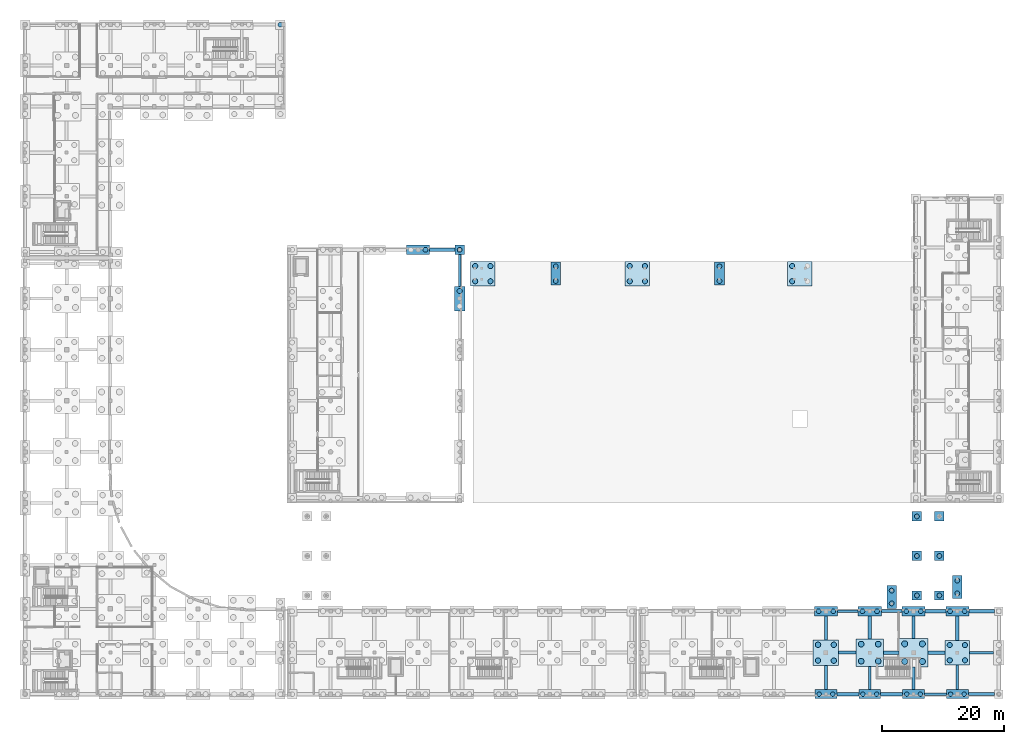
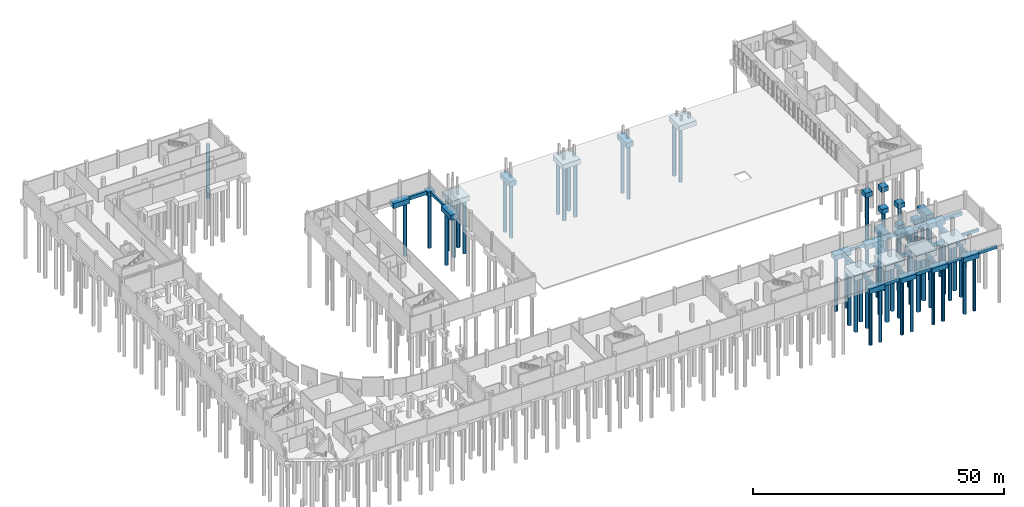
# One storey, part 8 of 41: 59 piles, 50 footings.
"""IFC4 building model written with IfcOpenShell, lengths in metres."""

from ifc_helpers import new_model, si_unit, direction, frame, origin, origin_2d, place, context, subcontext, project, spatial, rectangle, circle, extrude, material, material_profile, profile_set, type_object, element, save


model = new_model("IFC4")

# Units and contexts
model_context = context("Model", 3, precision=1e-05, world=origin(), true_north=direction((0.0, 1.0)))
body_context = subcontext(model_context, "Body", "Model", "MODEL_VIEW")
ifc_project = project(units=[si_unit("LENGTHUNIT", "METRE"), si_unit("AREAUNIT", "SQUARE_METRE"), si_unit("VOLUMEUNIT", "CUBIC_METRE"), si_unit("PLANEANGLEUNIT", "RADIAN"), si_unit("MASSUNIT", "GRAM", prefix="KILO")], contexts=[model_context])

# Site, building, storey
site_placement = place(None, origin())
site = spatial("IfcSite", under=ifc_project, at=site_placement, CompositionType="ELEMENT")
building_placement = place(site_placement, origin())
building = spatial("IfcBuilding", under=site, at=building_placement, Name="Vardoun Plaza Health Centre", CompositionType="ELEMENT")
storey_placement = place(building_placement, frame((0.0, 0.0, -4.5)))
storey = spatial("IfcBuildingStorey", under=building, at=storey_placement, Name="B1", CompositionType="ELEMENT", Elevation=-4.5)

# Footings
ifc_material_1 = material(Name="Concrete C40/50", Category="concrete")
footing_type_1 = type_object("IfcFootingType", Name="PC-02", PredefinedType="PILE_CAP", material=ifc_material_1)
for number, where, z_axis, x_axis, name in (
    (1, (76.300048828125, 77.919921875, -1.570068359375), (0.0, 0.0, 1.0), (1.0, 0.0, 0.0), "V1 Pile Cap PC-V1-22"),
    (2, (151.449951171875, 21.10009765625, -1.570068359375), (0.0, 0.0, 1.0), (1.0, 0.0, 0.0), "Bridge BR-05 Pier Pile Cap W.1"),
    (3, (151.449951171875, 27.60009765625, -1.570068359375), (0.0, 0.0, 1.0), (1.0, 0.0, 0.0), "Bridge BR-05 Pier Pile Cap W.2"),
    (4, (151.449951171875, 34.10009765625, -1.570068359375), (0.0, 0.0, 1.0), (1.0, 0.0, 0.0), "Bridge BR-05 Pier Pile Cap W.3"),
    (5, (155.14990234375, 21.10009765625, -1.570068359375), (0.0, 0.0, 1.0), (1.0, 0.0, 0.0), "Bridge BR-05 Pier Pile Cap E.1"),
    (6, (155.14990234375, 27.60009765625, -1.570068359375), (0.0, 0.0, 1.0), (1.0, 0.0, 0.0), "Bridge BR-05 Pier Pile Cap E.2"),
    (7, (155.14990234375, 34.10009765625, -1.570068359375), (0.0, 0.0, 1.0), (1.0, 0.0, 0.0), "Bridge BR-05 Pier Pile Cap E.3"),
):
    element("IfcFooting", number, at=place(storey_placement, frame(where, z_axis=z_axis, x_axis=x_axis)), inside=storey, type_object=footing_type_1, Name=name, PredefinedType="PILE_CAP", context=body_context, shape_type="SweptSolid", body=[
        extrude(rectangle(XDim=1.550048828125, YDim=1.550048828125, at=origin_2d()), origin(), (0.0, 0.0, 1.0), 1.14990234375),
    ])
ifc_material_2 = material(Name="Concrete C40/50", Category="concrete")
footing_type_2 = type_object("IfcFootingType", Name="PC-03", PredefinedType="PILE_CAP", material=ifc_material_2)
for number, where, z_axis, x_axis, name in (
    (8, (136.5, 4.8798828125, -1.570068359375), (0.0, 0.0, 1.0), (1.0, 0.0, 0.0), "V5 Pile Cap PC-V5-13"),
    (9, (143.699951171875, 4.8798828125, -1.570068359375), (0.0, 0.0, 1.0), (1.0, 0.0, 0.0), "V5 Pile Cap PC-V5-16"),
    (10, (150.89990234375, 4.8798828125, -1.570068359375), (0.0, 0.0, 1.0), (1.0, 0.0, 0.0), "V5 Pile Cap PC-V5-19"),
    (11, (158.10009765625, 4.8798828125, -1.570068359375), (0.0, 0.0, 1.0), (1.0, 0.0, 0.0), "V5 Pile Cap PC-V5-22"),
):
    element("IfcFooting", number, at=place(storey_placement, frame(where, z_axis=z_axis, x_axis=x_axis)), inside=storey, type_object=footing_type_2, Name=name, PredefinedType="PILE_CAP", context=body_context, shape_type="SweptSolid", body=[
        extrude(rectangle(XDim=3.60009765625, YDim=1.5, at=origin_2d()), origin(), (0.0, 0.0, 1.0), 1.14990234375),
    ])
ifc_material_3 = material(Name="Concrete C40/50", Category="concrete")
footing_type_3 = type_object("IfcFootingType", Name="PC-04", PredefinedType="PILE_CAP", material=ifc_material_3)
for number, where, z_axis, x_axis, name in (
    (12, (69.47998046875, 77.919921875, -1.6201171875), (0.0, 0.0, 1.0), (1.0, 0.0, 0.0), "V1 Pile Cap PC-V1-16"),
    (13, (136.5, 18.52001953125, -1.6201171875), (0.0, 0.0, 1.0), (1.0, 0.0, 0.0), "V5 Pile Cap PC-V5-15"),
    (14, (143.699951171875, 18.52001953125, -1.6201171875), (0.0, 0.0, 1.0), (1.0, 0.0, 0.0), "V5 Pile Cap PC-V5-18"),
    (15, (150.89990234375, 18.52001953125, -1.6201171875), (0.0, 0.0, 1.0), (1.0, 0.0, 0.0), "V5 Pile Cap PC-V5-21"),
    (16, (158.10009765625, 18.52001953125, -1.6201171875), (0.0, 0.0, 1.0), (1.0, 0.0, 0.0), "V5 Pile Cap PC-V5-24"),
    (17, (92.10009765625, 74.0, -1.6201171875), (0.0, 0.0, 1.0), (0.0, 1.0, 0.0), "Ramp Mid-Flight Pile Cap 1"),
    (18, (119.0, 74.0, -1.6201171875), (0.0, 0.0, 1.0), (0.0, 1.0, 0.0), "Ramp Mid-Flight Pile Cap 2"),
):
    element("IfcFooting", number, at=place(storey_placement, frame(where, z_axis=z_axis, x_axis=x_axis)), inside=storey, type_object=footing_type_3, Name=name, PredefinedType="PILE_CAP", context=body_context, shape_type="SweptSolid", body=[
        extrude(rectangle(XDim=3.800048828125, YDim=1.60009765625, at=origin_2d()), origin(), (0.0, 0.0, 1.0), 1.199951171875),
    ])
for number, where, z_axis, x_axis, name in (
    (19, (158.10009765625, 22.5, -1.72021484375), (0.0, 0.0, 1.0), (1.0, 0.0, 0.0), "Vehicle Ramp Intermediate Pier Pile Cap"),
    (20, (147.300048828125, 20.85009765625, -1.72021484375), (0.0, 0.0, 1.0), (1.0, 0.0, 0.0), "Vehicle Ramp Lower Flight Pier Pile Cap"),
):
    element("IfcFooting", number, at=place(storey_placement, frame(where, z_axis=z_axis, x_axis=x_axis)), inside=storey, type_object=footing_type_3, Name=name, PredefinedType="PILE_CAP", context=body_context, shape_type="SweptSolid", body=[
        extrude(rectangle(XDim=1.60009765625, YDim=3.800048828125, at=origin_2d()), origin(), (0.0, 0.0, 1.0), 1.300048828125),
    ])
ifc_material_4 = material(Name="Concrete C40/50", Category="concrete")
footing_type_4 = type_object("IfcFootingType", Name="PC-05", PredefinedType="PILE_CAP", material=ifc_material_4)
footing_1_placement = place(storey_placement, frame((76.300048828125, 69.89990234375, -1.669921875), z_axis=(0.0, 0.0, 1.0), x_axis=(0.0, 1.0, 0.0)))
element("IfcFooting", 21, at=footing_1_placement, inside=storey, type_object=footing_type_4, Name="V1 Pile Cap PC-V1-21", PredefinedType="PILE_CAP", context=body_context, shape_type="SweptSolid", body=[
    extrude(rectangle(XDim=4.0, YDim=1.699951171875, at=origin_2d()), origin(), (0.0, 0.0, 1.0), 1.25),
])
ifc_material_5 = material(Name="Concrete C40/50", Category="concrete")
footing_type_5 = type_object("IfcFootingType", Name="PC-06", PredefinedType="PILE_CAP", material=ifc_material_5)
for number, where, z_axis, x_axis, name in (
    (22, (158.10009765625, 11.699951171875, -1.6201171875), (0.0, 0.0, 1.0), (1.0, 0.0, 0.0), "V5 Pile Cap PC-V5-23"),
    (23, (80.10009765625, 74.0, -1.6201171875), (0.0, 0.0, 1.0), (1.0, 0.0, 0.0), "Ramp Landing Four-Pile Cap 1"),
    (24, (105.5, 74.0, -1.6201171875), (0.0, 0.0, 1.0), (1.0, 0.0, 0.0), "Ramp Landing Four-Pile Cap 2"),
    (25, (132.199951171875, 74.0, -1.6201171875), (0.0, 0.0, 1.0), (1.0, 0.0, 0.0), "Ramp Landing Four-Pile Cap 3"),
):
    element("IfcFooting", number, at=place(storey_placement, frame(where, z_axis=z_axis, x_axis=x_axis)), inside=storey, type_object=footing_type_5, Name=name, PredefinedType="PILE_CAP", context=body_context, shape_type="SweptSolid", body=[
        extrude(rectangle(XDim=4.0, YDim=4.0, at=origin_2d()), origin(), (0.0, 0.0, 1.0), 1.199951171875),
    ])
ifc_material_6 = material(Name="Concrete C40/50", Category="concrete")
footing_type_6 = type_object("IfcFootingType", Name="PC-07", PredefinedType="PILE_CAP", material=ifc_material_6)
footing_2_placement = place(storey_placement, frame((136.5, 11.699951171875, -1.669921875), z_axis=(0.0, 0.0, 1.0), x_axis=(1.0, 0.0, 0.0)))
element("IfcFooting", 26, at=footing_2_placement, inside=storey, type_object=footing_type_6, Name="V5 Pile Cap PC-V5-14", PredefinedType="PILE_CAP", context=body_context, shape_type="SweptSolid", body=[
    extrude(rectangle(XDim=4.199951171875, YDim=4.199951171875, at=origin_2d()), origin(), (0.0, 0.0, 1.0), 1.25),
])
ifc_material_7 = material(Name="Concrete C40/50", Category="concrete")
footing_type_7 = type_object("IfcFootingType", Name="PC-08", PredefinedType="PILE_CAP", material=ifc_material_7)
footing_3_placement = place(storey_placement, frame((143.699951171875, 11.699951171875, -1.72021484375), z_axis=(0.0, 0.0, 1.0), x_axis=(1.0, 0.0, 0.0)))
element("IfcFooting", 27, at=footing_3_placement, inside=storey, type_object=footing_type_7, Name="V5 Pile Cap PC-V5-17", PredefinedType="PILE_CAP", context=body_context, shape_type="SweptSolid", body=[
    extrude(rectangle(XDim=4.5, YDim=4.5, at=origin_2d()), origin(), (0.0, 0.0, 1.0), 1.300048828125),
])
ifc_material_8 = material(Name="Concrete C40/50", Category="concrete")
footing_type_8 = type_object("IfcFootingType", Name="PC-09", PredefinedType="PILE_CAP", material=ifc_material_8)
footing_4_placement = place(storey_placement, frame((150.89990234375, 11.699951171875, -1.77001953125), z_axis=(0.0, 0.0, 1.0), x_axis=(1.0, 0.0, 0.0)))
element("IfcFooting", 28, at=footing_4_placement, inside=storey, type_object=footing_type_8, Name="V5 Pile Cap PC-V5-20", PredefinedType="PILE_CAP", context=body_context, shape_type="SweptSolid", body=[
    extrude(rectangle(XDim=4.699951171875, YDim=4.699951171875, at=origin_2d()), origin(), (0.0, 0.0, 1.0), 1.35009765625),
])
ifc_material_9 = material(Name="Concrete C40/50", Category="concrete")
ifc_material_profile_1 = material_profile(ifc_material_9, rectangle(XDim=0.449951171875, YDim=0.699951171875, at=origin_2d()), Name="GB 450x700")
ifc_profile_set_1 = profile_set([ifc_material_profile_1], Name="Concrete C40/50")
footing_type_9 = type_object("IfcFootingType", Name="GB-01", PredefinedType="FOOTING_BEAM", material=ifc_profile_set_1)
footing_5_placement = place(storey_placement, frame((76.300048828125, 71.900146484375, -0.77001953125), z_axis=(0.0, 1.0, 0.0), x_axis=(-1.0, 0.0, 0.0)))
element("IfcFooting", 29, at=footing_5_placement, inside=storey, type_object=footing_type_9, Name="V1 Ground Tie Beam 27", PredefinedType="FOOTING_BEAM", context=body_context, shape_type="SweptSolid", body=[
    extrude(rectangle(XDim=0.449951171875, YDim=0.699951171875, at=origin_2d()), origin(), (0.0, 0.0, 1.0), 5.244873046875),
])
footing_6_placement = place(storey_placement, frame((138.39990234375, 18.52001953125, -0.77001953125), z_axis=(1.0, 0.0, 0.0), x_axis=(0.0, 1.0, 0.0)))
element("IfcFooting", 30, at=footing_6_placement, inside=storey, type_object=footing_type_9, Name="V5 Ground Tie Beam 15", PredefinedType="FOOTING_BEAM", context=body_context, shape_type="SweptSolid", body=[
    extrude(rectangle(XDim=0.449951171875, YDim=0.699951171875, at=origin_2d()), origin(), (0.0, 0.0, 1.0), 3.400146484375),
])
footing_7_placement = place(storey_placement, frame((152.699951171875, 4.8798828125, -0.77001953125), z_axis=(1.0, 0.0, 0.0), x_axis=(0.0, 1.0, 0.0)))
element("IfcFooting", 31, at=footing_7_placement, inside=storey, type_object=footing_type_9, Name="V5 Ground Tie Beam 19", PredefinedType="FOOTING_BEAM", context=body_context, shape_type="SweptSolid", body=[
    extrude(rectangle(XDim=0.449951171875, YDim=0.699951171875, at=origin_2d()), origin(), (0.0, 0.0, 1.0), 3.60009765625),
])
footing_8_placement = place(storey_placement, frame((160.10009765625, 11.699951171875, -0.77001953125), z_axis=(1.0, 0.0, 0.0), x_axis=(0.0, 1.0, 0.0)))
element("IfcFooting", 32, at=footing_8_placement, inside=storey, type_object=footing_type_9, Name="V5 Ground Tie Beam 23", PredefinedType="FOOTING_BEAM", context=body_context, shape_type="SweptSolid", body=[
    extrude(rectangle(XDim=0.449951171875, YDim=0.699951171875, at=origin_2d()), origin(), (0.0, 0.0, 1.0), 3.969970703125),
])
footing_9_placement = place(storey_placement, frame((143.699951171875, 5.6298828125, -0.77001953125), z_axis=(0.0, 1.0, 0.0), x_axis=(-1.0, 0.0, 0.0)))
element("IfcFooting", 33, at=footing_9_placement, inside=storey, type_object=footing_type_9, Name="V5 Ground Tie Beam 35", PredefinedType="FOOTING_BEAM", context=body_context, shape_type="SweptSolid", body=[
    extrude(rectangle(XDim=0.449951171875, YDim=0.699951171875, at=origin_2d()), origin(), (0.0, 0.0, 1.0), 3.820068359375),
])
footing_10_placement = place(storey_placement, frame((158.10009765625, 5.6298828125, -0.77001953125), z_axis=(0.0, 1.0, 0.0), x_axis=(-1.0, 0.0, 0.0)))
element("IfcFooting", 34, at=footing_10_placement, inside=storey, type_object=footing_type_9, Name="V5 Ground Tie Beam 39", PredefinedType="FOOTING_BEAM", context=body_context, shape_type="SweptSolid", body=[
    extrude(rectangle(XDim=0.449951171875, YDim=0.699951171875, at=origin_2d()), origin(), (0.0, 0.0, 1.0), 4.070068359375),
])
ifc_material_10 = material(Name="Concrete C40/50", Category="concrete")
ifc_material_profile_2 = material_profile(ifc_material_10, rectangle(XDim=0.5, YDim=0.75, at=origin_2d()), Name="GB 500x750")
ifc_profile_set_2 = profile_set([ifc_material_profile_2], Name="Concrete C40/50")
footing_type_10 = type_object("IfcFootingType", Name="GB-02", PredefinedType="FOOTING_BEAM", material=ifc_profile_set_2)
footing_11_placement = place(storey_placement, frame((138.60009765625, 11.699951171875, -0.794921875), z_axis=(1.0, 0.0, 0.0), x_axis=(0.0, 1.0, 0.0)))
element("IfcFooting", 35, at=footing_11_placement, inside=storey, type_object=footing_type_10, Name="V5 Ground Tie Beam 14", PredefinedType="FOOTING_BEAM", context=body_context, shape_type="SweptSolid", body=[
    extrude(rectangle(XDim=0.5, YDim=0.75, at=origin_2d()), origin(), (0.0, 0.0, 1.0), 2.849853515625),
])
footing_12_placement = place(storey_placement, frame((145.60009765625, 18.52001953125, -0.794921875), z_axis=(1.0, 0.0, 0.0), x_axis=(0.0, 1.0, 0.0)))
element("IfcFooting", 36, at=footing_12_placement, inside=storey, type_object=footing_type_10, Name="V5 Ground Tie Beam 18", PredefinedType="FOOTING_BEAM", context=body_context, shape_type="SweptSolid", body=[
    extrude(rectangle(XDim=0.5, YDim=0.75, at=origin_2d()), origin(), (0.0, 0.0, 1.0), 3.39990234375),
])
footing_13_placement = place(storey_placement, frame((159.89990234375, 4.8798828125, -0.794921875), z_axis=(1.0, 0.0, 0.0), x_axis=(0.0, 1.0, 0.0)))
element("IfcFooting", 37, at=footing_13_placement, inside=storey, type_object=footing_type_10, Name="V5 Ground Tie Beam 22", PredefinedType="FOOTING_BEAM", context=body_context, shape_type="SweptSolid", body=[
    extrude(rectangle(XDim=0.5, YDim=0.75, at=origin_2d()), origin(), (0.0, 0.0, 1.0), 4.320068359375),
])
footing_14_placement = place(storey_placement, frame((136.5, 13.800048828125, -0.794921875), z_axis=(0.0, 1.0, 0.0), x_axis=(-1.0, 0.0, 0.0)))
element("IfcFooting", 38, at=footing_14_placement, inside=storey, type_object=footing_type_10, Name="V5 Ground Tie Beam 34", PredefinedType="FOOTING_BEAM", context=body_context, shape_type="SweptSolid", body=[
    extrude(rectangle(XDim=0.5, YDim=0.75, at=origin_2d()), origin(), (0.0, 0.0, 1.0), 3.919921875),
])
footing_15_placement = place(storey_placement, frame((150.89990234375, 14.050048828125, -0.794921875), z_axis=(0.0, 1.0, 0.0), x_axis=(-1.0, 0.0, 0.0)))
element("IfcFooting", 39, at=footing_15_placement, inside=storey, type_object=footing_type_10, Name="V5 Ground Tie Beam 38", PredefinedType="FOOTING_BEAM", context=body_context, shape_type="SweptSolid", body=[
    extrude(rectangle(XDim=0.5, YDim=0.75, at=origin_2d()), origin(), (0.0, 0.0, 1.0), 3.669921875),
])
ifc_material_11 = material(Name="Concrete C40/50", Category="concrete")
ifc_material_profile_3 = material_profile(ifc_material_11, rectangle(XDim=0.550048828125, YDim=0.800048828125, at=origin_2d()), Name="GB 550x800")
ifc_profile_set_3 = profile_set([ifc_material_profile_3], Name="Concrete C40/50")
footing_type_11 = type_object("IfcFootingType", Name="GB-03", PredefinedType="FOOTING_BEAM", material=ifc_profile_set_3)
footing_16_placement = place(storey_placement, frame((138.300048828125, 4.8798828125, -0.820068359375), z_axis=(1.0, 0.0, 0.0), x_axis=(0.0, 1.0, 0.0)))
element("IfcFooting", 40, at=footing_16_placement, inside=storey, type_object=footing_type_11, Name="V5 Ground Tie Beam 13", PredefinedType="FOOTING_BEAM", context=body_context, shape_type="SweptSolid", body=[
    extrude(rectangle(XDim=0.550048828125, YDim=0.800048828125, at=origin_2d()), origin(), (0.0, 0.0, 1.0), 3.599853515625),
])
footing_17_placement = place(storey_placement, frame((145.949951171875, 11.699951171875, -0.820068359375), z_axis=(1.0, 0.0, 0.0), x_axis=(0.0, 1.0, 0.0)))
element("IfcFooting", 41, at=footing_17_placement, inside=storey, type_object=footing_type_11, Name="V5 Ground Tie Beam 17", PredefinedType="FOOTING_BEAM", context=body_context, shape_type="SweptSolid", body=[
    extrude(rectangle(XDim=0.550048828125, YDim=0.800048828125, at=origin_2d()), origin(), (0.0, 0.0, 1.0), 2.60009765625),
])
footing_18_placement = place(storey_placement, frame((152.800048828125, 18.52001953125, -0.820068359375), z_axis=(1.0, 0.0, 0.0), x_axis=(0.0, 1.0, 0.0)))
element("IfcFooting", 42, at=footing_18_placement, inside=storey, type_object=footing_type_11, Name="V5 Ground Tie Beam 21", PredefinedType="FOOTING_BEAM", context=body_context, shape_type="SweptSolid", body=[
    extrude(rectangle(XDim=0.550048828125, YDim=0.800048828125, at=origin_2d()), origin(), (0.0, 0.0, 1.0), 3.39990234375),
])
footing_19_placement = place(storey_placement, frame((136.5, 5.6298828125, -0.820068359375), z_axis=(0.0, 1.0, 0.0), x_axis=(-1.0, 0.0, 0.0)))
element("IfcFooting", 43, at=footing_19_placement, inside=storey, type_object=footing_type_11, Name="V5 Ground Tie Beam 33", PredefinedType="FOOTING_BEAM", context=body_context, shape_type="SweptSolid", body=[
    extrude(rectangle(XDim=0.550048828125, YDim=0.800048828125, at=origin_2d()), origin(), (0.0, 0.0, 1.0), 3.97021484375),
])
footing_20_placement = place(storey_placement, frame((150.89990234375, 5.6298828125, -0.820068359375), z_axis=(0.0, 1.0, 0.0), x_axis=(-1.0, 0.0, 0.0)))
element("IfcFooting", 44, at=footing_20_placement, inside=storey, type_object=footing_type_11, Name="V5 Ground Tie Beam 37", PredefinedType="FOOTING_BEAM", context=body_context, shape_type="SweptSolid", body=[
    extrude(rectangle(XDim=0.550048828125, YDim=0.800048828125, at=origin_2d()), origin(), (0.0, 0.0, 1.0), 3.72021484375),
])
ifc_material_12 = material(Name="Concrete C40/50", Category="concrete")
ifc_material_profile_4 = material_profile(ifc_material_12, rectangle(XDim=0.60009765625, YDim=0.85009765625, at=origin_2d()), Name="GB 600x850")
ifc_profile_set_4 = profile_set([ifc_material_profile_4], Name="Concrete C40/50")
footing_type_12 = type_object("IfcFootingType", Name="GB-04", PredefinedType="FOOTING_BEAM", material=ifc_profile_set_4)
footing_21_placement = place(storey_placement, frame((71.3798828125, 77.919921875, -0.844970703125), z_axis=(1.0, 0.0, 0.0), x_axis=(0.0, 1.0, 0.0)))
element("IfcFooting", 45, at=footing_21_placement, inside=storey, type_object=footing_type_12, Name="V1 Ground Tie Beam 12", PredefinedType="FOOTING_BEAM", context=body_context, shape_type="SweptSolid", body=[
    extrude(rectangle(XDim=0.60009765625, YDim=0.85009765625, at=origin_2d()), origin(), (0.0, 0.0, 1.0), 4.145263671875),
])
footing_22_placement = place(storey_placement, frame((145.5, 4.8798828125, -0.844970703125), z_axis=(1.0, 0.0, 0.0), x_axis=(0.0, 1.0, 0.0)))
element("IfcFooting", 46, at=footing_22_placement, inside=storey, type_object=footing_type_12, Name="V5 Ground Tie Beam 16", PredefinedType="FOOTING_BEAM", context=body_context, shape_type="SweptSolid", body=[
    extrude(rectangle(XDim=0.60009765625, YDim=0.85009765625, at=origin_2d()), origin(), (0.0, 0.0, 1.0), 3.60009765625),
])
footing_23_placement = place(storey_placement, frame((153.25, 11.699951171875, -0.844970703125), z_axis=(1.0, 0.0, 0.0), x_axis=(0.0, 1.0, 0.0)))
element("IfcFooting", 47, at=footing_23_placement, inside=storey, type_object=footing_type_12, Name="V5 Ground Tie Beam 20", PredefinedType="FOOTING_BEAM", context=body_context, shape_type="SweptSolid", body=[
    extrude(rectangle(XDim=0.60009765625, YDim=0.85009765625, at=origin_2d()), origin(), (0.0, 0.0, 1.0), 2.85009765625),
])
footing_24_placement = place(storey_placement, frame((160.0, 18.52001953125, -0.844970703125), z_axis=(1.0, 0.0, 0.0), x_axis=(0.0, 1.0, 0.0)))
element("IfcFooting", 48, at=footing_24_placement, inside=storey, type_object=footing_type_12, Name="V5 Ground Tie Beam 24", PredefinedType="FOOTING_BEAM", context=body_context, shape_type="SweptSolid", body=[
    extrude(rectangle(XDim=0.60009765625, YDim=0.85009765625, at=origin_2d()), origin(), (0.0, 0.0, 1.0), 4.219970703125),
])
footing_25_placement = place(storey_placement, frame((143.699951171875, 13.949951171875, -0.844970703125), z_axis=(0.0, 1.0, 0.0), x_axis=(-1.0, 0.0, 0.0)))
element("IfcFooting", 49, at=footing_25_placement, inside=storey, type_object=footing_type_12, Name="V5 Ground Tie Beam 36", PredefinedType="FOOTING_BEAM", context=body_context, shape_type="SweptSolid", body=[
    extrude(rectangle(XDim=0.60009765625, YDim=0.85009765625, at=origin_2d()), origin(), (0.0, 0.0, 1.0), 3.77001953125),
])
footing_26_placement = place(storey_placement, frame((158.10009765625, 13.699951171875, -0.844970703125), z_axis=(0.0, 1.0, 0.0), x_axis=(-1.0, 0.0, 0.0)))
element("IfcFooting", 50, at=footing_26_placement, inside=storey, type_object=footing_type_12, Name="V5 Ground Tie Beam 40", PredefinedType="FOOTING_BEAM", context=body_context, shape_type="SweptSolid", body=[
    extrude(rectangle(XDim=0.60009765625, YDim=0.85009765625, at=origin_2d()), origin(), (0.0, 0.0, 1.0), 4.02001953125),
])

# Piles
ifc_material_13 = material(Name="Concrete C40/50", Category="concrete")
ifc_material_profile_5 = material_profile(ifc_material_13, circle(Radius=0.5, at=origin_2d()), Name="PILE D1000")
ifc_profile_set_5 = profile_set([ifc_material_profile_5], Name="Concrete C40/50")
pile_type_1 = type_object("IfcPileType", Name="PL-06", PredefinedType="BORED", material=ifc_profile_set_5)
for number, where, z_axis, x_axis, name in (
    (51, (149.449951171875, 10.25, -1.669921875), (0.0, 0.0, -1.0), (1.0, 0.0, 0.0), "V5 Bored Pile PL-V5-20A"),
    (52, (152.35009765625, 10.25, -1.669921875), (0.0, 0.0, -1.0), (1.0, 0.0, 0.0), "V5 Bored Pile PL-V5-20B"),
    (53, (149.449951171875, 13.14990234375, -1.669921875), (0.0, 0.0, -1.0), (1.0, 0.0, 0.0), "V5 Bored Pile PL-V5-20C"),
    (54, (152.35009765625, 13.14990234375, -1.669921875), (0.0, 0.0, -1.0), (1.0, 0.0, 0.0), "V5 Bored Pile PL-V5-20D"),
):
    element("IfcPile", number, at=place(storey_placement, frame(where, z_axis=z_axis, x_axis=x_axis)), inside=storey, type_object=pile_type_1, Name=name, PredefinedType="BORED", context=body_context, shape_type="SweptSolid", body=[
        extrude(circle(Radius=0.5, at=origin_2d()), origin(), (0.0, 0.0, 1.0), 12.830078125),
    ])
ifc_material_14 = material(Name="Concrete C40/50", Category="concrete")
ifc_material_profile_6 = material_profile(ifc_material_14, circle(Radius=0.375, at=origin_2d()), Name="PILE D750")
ifc_profile_set_6 = profile_set([ifc_material_profile_6], Name="Concrete C40/50")
pile_type_2 = type_object("IfcPileType", Name="PL-01", PredefinedType="BORED", material=ifc_profile_set_6)
for number, where, z_axis, x_axis, name in (
    (55, (135.3798828125, 4.8798828125, -1.469970703125), (0.0, 0.0, -1.0), (1.0, 0.0, 0.0), "V5 Bored Pile PL-V5-13A"),
    (56, (137.6201171875, 4.8798828125, -1.469970703125), (0.0, 0.0, -1.0), (1.0, 0.0, 0.0), "V5 Bored Pile PL-V5-13B"),
    (57, (142.580078125, 4.8798828125, -1.469970703125), (0.0, 0.0, -1.0), (1.0, 0.0, 0.0), "V5 Bored Pile PL-V5-16A"),
    (58, (144.820068359375, 4.8798828125, -1.469970703125), (0.0, 0.0, -1.0), (1.0, 0.0, 0.0), "V5 Bored Pile PL-V5-16B"),
    (59, (149.780029296875, 4.8798828125, -1.469970703125), (0.0, 0.0, -1.0), (1.0, 0.0, 0.0), "V5 Bored Pile PL-V5-19A"),
    (60, (152.02001953125, 4.8798828125, -1.469970703125), (0.0, 0.0, -1.0), (1.0, 0.0, 0.0), "V5 Bored Pile PL-V5-19B"),
    (61, (156.97998046875, 4.8798828125, -1.469970703125), (0.0, 0.0, -1.0), (1.0, 0.0, 0.0), "V5 Bored Pile PL-V5-22A"),
    (62, (159.219970703125, 4.8798828125, -1.469970703125), (0.0, 0.0, -1.0), (1.0, 0.0, 0.0), "V5 Bored Pile PL-V5-22B"),
):
    element("IfcPile", number, at=place(storey_placement, frame(where, z_axis=z_axis, x_axis=x_axis)), inside=storey, type_object=pile_type_2, Name=name, PredefinedType="BORED", context=body_context, shape_type="SweptSolid", body=[
        extrude(circle(Radius=0.375, at=origin_2d()), origin(), (0.0, 0.0, 1.0), 13.030029296875),
    ])
ifc_material_15 = material(Name="Concrete C40/50", Category="concrete")
ifc_material_profile_7 = material_profile(ifc_material_15, circle(Radius=0.39990234375, at=origin_2d()), Name="PILE D800")
ifc_profile_set_7 = profile_set([ifc_material_profile_7], Name="Concrete C40/50")
pile_type_3 = type_object("IfcPileType", Name="PL-02", PredefinedType="BORED", material=ifc_profile_set_7)
pile_1_placement = place(storey_placement, frame((70.679931640625, 77.919921875, -1.52001953125), z_axis=(0.0, 0.0, -1.0), x_axis=(1.0, 0.0, 0.0)))
element("IfcPile", 63, at=pile_1_placement, inside=storey, type_object=pile_type_3, Name="V1 Bored Pile PL-V1-16B", PredefinedType="BORED", context=body_context, shape_type="SweptSolid", body=[
    extrude(circle(Radius=0.39990234375, at=origin_2d()), origin(), (0.0, 0.0, 1.0), 12.97998046875),
])
for number, where, z_axis, x_axis, name in (
    (64, (76.300048828125, 77.919921875, -1.469970703125), (0.0, 0.0, -1.0), (1.0, 0.0, 0.0), "V1 Bored Pile PL-V1-22A"),
    (65, (46.820068359375, 114.919921875, -1.469970703125), (0.0, 0.0, -1.0), (1.0, 0.0, 0.0), "V3 Bored Pile PL-V3-30A"),
):
    element("IfcPile", number, at=place(storey_placement, frame(where, z_axis=z_axis, x_axis=x_axis)), inside=storey, type_object=pile_type_3, Name=name, PredefinedType="BORED", context=body_context, shape_type="SweptSolid", body=[
        extrude(circle(Radius=0.39990234375, at=origin_2d()), origin(), (0.0, 0.0, 1.0), 13.030029296875),
    ])
for number, where, z_axis, x_axis, name in (
    (66, (135.300048828125, 18.52001953125, -1.52001953125), (0.0, 0.0, -1.0), (1.0, 0.0, 0.0), "V5 Bored Pile PL-V5-15A"),
    (67, (137.699951171875, 18.52001953125, -1.52001953125), (0.0, 0.0, -1.0), (1.0, 0.0, 0.0), "V5 Bored Pile PL-V5-15B"),
    (68, (142.5, 18.52001953125, -1.52001953125), (0.0, 0.0, -1.0), (1.0, 0.0, 0.0), "V5 Bored Pile PL-V5-18A"),
    (69, (144.89990234375, 18.52001953125, -1.52001953125), (0.0, 0.0, -1.0), (1.0, 0.0, 0.0), "V5 Bored Pile PL-V5-18B"),
    (70, (149.699951171875, 18.52001953125, -1.52001953125), (0.0, 0.0, -1.0), (1.0, 0.0, 0.0), "V5 Bored Pile PL-V5-21A"),
    (71, (152.10009765625, 18.52001953125, -1.52001953125), (0.0, 0.0, -1.0), (1.0, 0.0, 0.0), "V5 Bored Pile PL-V5-21B"),
    (72, (156.89990234375, 18.52001953125, -1.52001953125), (0.0, 0.0, -1.0), (1.0, 0.0, 0.0), "V5 Bored Pile PL-V5-24A"),
    (73, (159.300048828125, 18.52001953125, -1.52001953125), (0.0, 0.0, -1.0), (1.0, 0.0, 0.0), "V5 Bored Pile PL-V5-24B"),
    (74, (92.10009765625, 72.800048828125, -1.52001953125), (0.0, 0.0, -1.0), (1.0, 0.0, 0.0), "Ramp Mid Pile 1.1"),
    (75, (92.10009765625, 75.199951171875, -1.52001953125), (0.0, 0.0, -1.0), (1.0, 0.0, 0.0), "Ramp Mid Pile 1.2"),
    (76, (119.0, 72.800048828125, -1.52001953125), (0.0, 0.0, -1.0), (1.0, 0.0, 0.0), "Ramp Mid Pile 2.1"),
    (77, (119.0, 75.199951171875, -1.52001953125), (0.0, 0.0, -1.0), (1.0, 0.0, 0.0), "Ramp Mid Pile 2.2"),
):
    element("IfcPile", number, at=place(storey_placement, frame(where, z_axis=z_axis, x_axis=x_axis)), inside=storey, type_object=pile_type_3, Name=name, PredefinedType="BORED", context=body_context, shape_type="SweptSolid", body=[
        extrude(circle(Radius=0.39990234375, at=origin_2d()), origin(), (0.0, 0.0, 1.0), 12.97998046875),
    ])
for number, where, z_axis, x_axis, name in (
    (78, (158.10009765625, 21.449951171875, -1.6201171875), (0.0, 0.0, -1.0), (1.0, 0.0, 0.0), "Vehicle Ramp Pier Bored Pile A"),
    (79, (158.10009765625, 23.550048828125, -1.6201171875), (0.0, 0.0, -1.0), (1.0, 0.0, 0.0), "Vehicle Ramp Pier Bored Pile B"),
):
    element("IfcPile", number, at=place(storey_placement, frame(where, z_axis=z_axis, x_axis=x_axis)), inside=storey, type_object=pile_type_3, Name=name, PredefinedType="BORED", context=body_context, shape_type="SweptSolid", body=[
        extrude(circle(Radius=0.39990234375, at=origin_2d()), origin(), (0.0, 0.0, 1.0), 12.8798828125),
    ])
for number, where, z_axis, x_axis, name in (
    (80, (151.449951171875, 21.10009765625, -1.469970703125), (0.0, 0.0, -1.0), (1.0, 0.0, 0.0), "Bridge BR-05 Pier Bored Pile W.1"),
    (81, (151.449951171875, 27.60009765625, -1.469970703125), (0.0, 0.0, -1.0), (1.0, 0.0, 0.0), "Bridge BR-05 Pier Bored Pile W.2"),
    (82, (151.449951171875, 34.10009765625, -1.469970703125), (0.0, 0.0, -1.0), (1.0, 0.0, 0.0), "Bridge BR-05 Pier Bored Pile W.3"),
    (83, (155.14990234375, 21.10009765625, -1.469970703125), (0.0, 0.0, -1.0), (1.0, 0.0, 0.0), "Bridge BR-05 Pier Bored Pile E.1"),
    (84, (155.14990234375, 27.60009765625, -1.469970703125), (0.0, 0.0, -1.0), (1.0, 0.0, 0.0), "Bridge BR-05 Pier Bored Pile E.2"),
):
    element("IfcPile", number, at=place(storey_placement, frame(where, z_axis=z_axis, x_axis=x_axis)), inside=storey, type_object=pile_type_3, Name=name, PredefinedType="BORED", context=body_context, shape_type="SweptSolid", body=[
        extrude(circle(Radius=0.39990234375, at=origin_2d()), origin(), (0.0, 0.0, 1.0), 13.030029296875),
    ])
for number, where, z_axis, x_axis, name in (
    (85, (147.300048828125, 19.800048828125, -1.6201171875), (0.0, 0.0, -1.0), (1.0, 0.0, 0.0), "Vehicle Ramp Lower Flight Bored Pile A"),
    (86, (147.300048828125, 21.89990234375, -1.6201171875), (0.0, 0.0, -1.0), (1.0, 0.0, 0.0), "Vehicle Ramp Lower Flight Bored Pile B"),
):
    element("IfcPile", number, at=place(storey_placement, frame(where, z_axis=z_axis, x_axis=x_axis)), inside=storey, type_object=pile_type_3, Name=name, PredefinedType="BORED", context=body_context, shape_type="SweptSolid", body=[
        extrude(circle(Radius=0.39990234375, at=origin_2d()), origin(), (0.0, 0.0, 1.0), 12.8798828125),
    ])
ifc_material_16 = material(Name="Concrete C40/50", Category="concrete")
ifc_material_profile_8 = material_profile(ifc_material_16, circle(Radius=0.425048828125, at=origin_2d()), Name="PILE D850")
ifc_profile_set_8 = profile_set([ifc_material_profile_8], Name="Concrete C40/50")
pile_type_4 = type_object("IfcPileType", Name="PL-03", PredefinedType="BORED", material=ifc_profile_set_8)
pile_2_placement = place(storey_placement, frame((76.300048828125, 71.14990234375, -1.570068359375), z_axis=(0.0, 0.0, -1.0), x_axis=(1.0, 0.0, 0.0)))
element("IfcPile", 87, at=pile_2_placement, inside=storey, type_object=pile_type_4, Name="V1 Bored Pile PL-V1-21B", PredefinedType="BORED", context=body_context, shape_type="SweptSolid", body=[
    extrude(circle(Radius=0.425048828125, at=origin_2d()), origin(), (0.0, 0.0, 1.0), 12.929931640625),
])
for number, where, z_axis, x_axis, name in (
    (88, (156.85009765625, 10.449951171875, -1.52001953125), (0.0, 0.0, -1.0), (1.0, 0.0, 0.0), "V5 Bored Pile PL-V5-23A"),
    (89, (159.35009765625, 10.449951171875, -1.52001953125), (0.0, 0.0, -1.0), (1.0, 0.0, 0.0), "V5 Bored Pile PL-V5-23B"),
    (90, (156.85009765625, 12.949951171875, -1.52001953125), (0.0, 0.0, -1.0), (1.0, 0.0, 0.0), "V5 Bored Pile PL-V5-23C"),
    (91, (159.35009765625, 12.949951171875, -1.52001953125), (0.0, 0.0, -1.0), (1.0, 0.0, 0.0), "V5 Bored Pile PL-V5-23D"),
    (92, (78.85009765625, 72.75, -1.52001953125), (0.0, 0.0, -1.0), (1.0, 0.0, 0.0), "Ramp Cap 1 Bored Pile 1"),
    (93, (81.35009765625, 72.75, -1.52001953125), (0.0, 0.0, -1.0), (1.0, 0.0, 0.0), "Ramp Cap 1 Bored Pile 2"),
    (94, (78.85009765625, 75.25, -1.52001953125), (0.0, 0.0, -1.0), (1.0, 0.0, 0.0), "Ramp Cap 1 Bored Pile 3"),
    (95, (81.35009765625, 75.25, -1.52001953125), (0.0, 0.0, -1.0), (1.0, 0.0, 0.0), "Ramp Cap 1 Bored Pile 4"),
    (96, (104.25, 72.75, -1.52001953125), (0.0, 0.0, -1.0), (1.0, 0.0, 0.0), "Ramp Cap 2 Bored Pile 1"),
    (97, (106.75, 72.75, -1.52001953125), (0.0, 0.0, -1.0), (1.0, 0.0, 0.0), "Ramp Cap 2 Bored Pile 2"),
    (98, (104.25, 75.25, -1.52001953125), (0.0, 0.0, -1.0), (1.0, 0.0, 0.0), "Ramp Cap 2 Bored Pile 3"),
    (99, (106.75, 75.25, -1.52001953125), (0.0, 0.0, -1.0), (1.0, 0.0, 0.0), "Ramp Cap 2 Bored Pile 4"),
    (100, (130.949951171875, 72.75, -1.52001953125), (0.0, 0.0, -1.0), (1.0, 0.0, 0.0), "Ramp Cap 3 Bored Pile 1"),
    (101, (130.949951171875, 75.25, -1.52001953125), (0.0, 0.0, -1.0), (1.0, 0.0, 0.0), "Ramp Cap 3 Bored Pile 3"),
):
    element("IfcPile", number, at=place(storey_placement, frame(where, z_axis=z_axis, x_axis=x_axis)), inside=storey, type_object=pile_type_4, Name=name, PredefinedType="BORED", context=body_context, shape_type="SweptSolid", body=[
        extrude(circle(Radius=0.425048828125, at=origin_2d()), origin(), (0.0, 0.0, 1.0), 12.97998046875),
    ])
ifc_material_17 = material(Name="Concrete C40/50", Category="concrete")
ifc_material_profile_9 = material_profile(ifc_material_17, circle(Radius=0.449951171875, at=origin_2d()), Name="PILE D900")
ifc_profile_set_9 = profile_set([ifc_material_profile_9], Name="Concrete C40/50")
pile_type_5 = type_object("IfcPileType", Name="PL-04", PredefinedType="BORED", material=ifc_profile_set_9)
for number, where, z_axis, x_axis, name in (
    (102, (135.199951171875, 10.39990234375, -1.570068359375), (0.0, 0.0, -1.0), (1.0, 0.0, 0.0), "V5 Bored Pile PL-V5-14A"),
    (103, (137.800048828125, 10.39990234375, -1.570068359375), (0.0, 0.0, -1.0), (1.0, 0.0, 0.0), "V5 Bored Pile PL-V5-14B"),
    (104, (135.199951171875, 13.0, -1.570068359375), (0.0, 0.0, -1.0), (1.0, 0.0, 0.0), "V5 Bored Pile PL-V5-14C"),
    (105, (137.800048828125, 13.0, -1.570068359375), (0.0, 0.0, -1.0), (1.0, 0.0, 0.0), "V5 Bored Pile PL-V5-14D"),
):
    element("IfcPile", number, at=place(storey_placement, frame(where, z_axis=z_axis, x_axis=x_axis)), inside=storey, type_object=pile_type_5, Name=name, PredefinedType="BORED", context=body_context, shape_type="SweptSolid", body=[
        extrude(circle(Radius=0.449951171875, at=origin_2d()), origin(), (0.0, 0.0, 1.0), 12.929931640625),
    ])
ifc_material_18 = material(Name="Concrete C40/50", Category="concrete")
ifc_material_profile_10 = material_profile(ifc_material_18, circle(Radius=0.47509765625, at=origin_2d()), Name="PILE D950")
ifc_profile_set_10 = profile_set([ifc_material_profile_10], Name="Concrete C40/50")
pile_type_6 = type_object("IfcPileType", Name="PL-05", PredefinedType="BORED", material=ifc_profile_set_10)
for number, where, z_axis, x_axis, name in (
    (106, (142.300048828125, 10.300048828125, -1.6201171875), (0.0, 0.0, -1.0), (1.0, 0.0, 0.0), "V5 Bored Pile PL-V5-17A"),
    (107, (145.10009765625, 10.300048828125, -1.6201171875), (0.0, 0.0, -1.0), (1.0, 0.0, 0.0), "V5 Bored Pile PL-V5-17B"),
    (108, (142.300048828125, 13.10009765625, -1.6201171875), (0.0, 0.0, -1.0), (1.0, 0.0, 0.0), "V5 Bored Pile PL-V5-17C"),
    (109, (145.10009765625, 13.10009765625, -1.6201171875), (0.0, 0.0, -1.0), (1.0, 0.0, 0.0), "V5 Bored Pile PL-V5-17D"),
):
    element("IfcPile", number, at=place(storey_placement, frame(where, z_axis=z_axis, x_axis=x_axis)), inside=storey, type_object=pile_type_6, Name=name, PredefinedType="BORED", context=body_context, shape_type="SweptSolid", body=[
        extrude(circle(Radius=0.47509765625, at=origin_2d()), origin(), (0.0, 0.0, 1.0), 12.8798828125),
    ])

save(model, "model.ifc")
